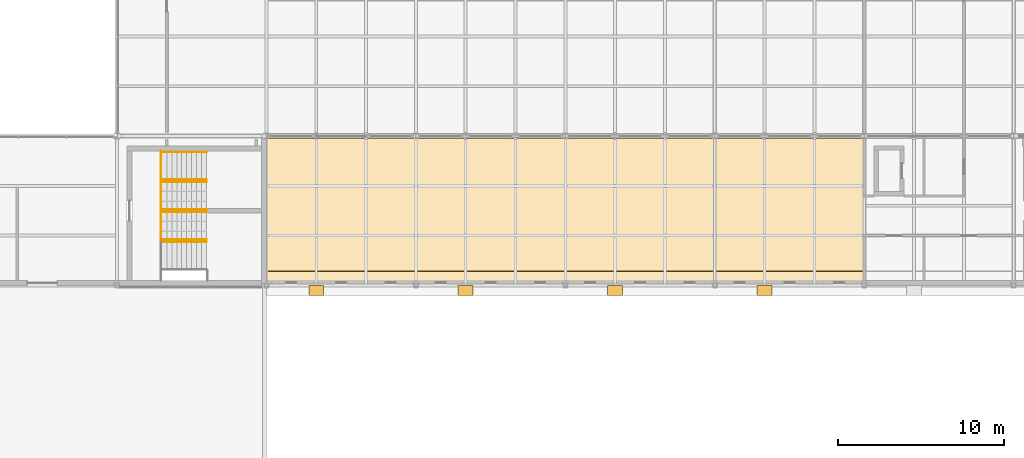
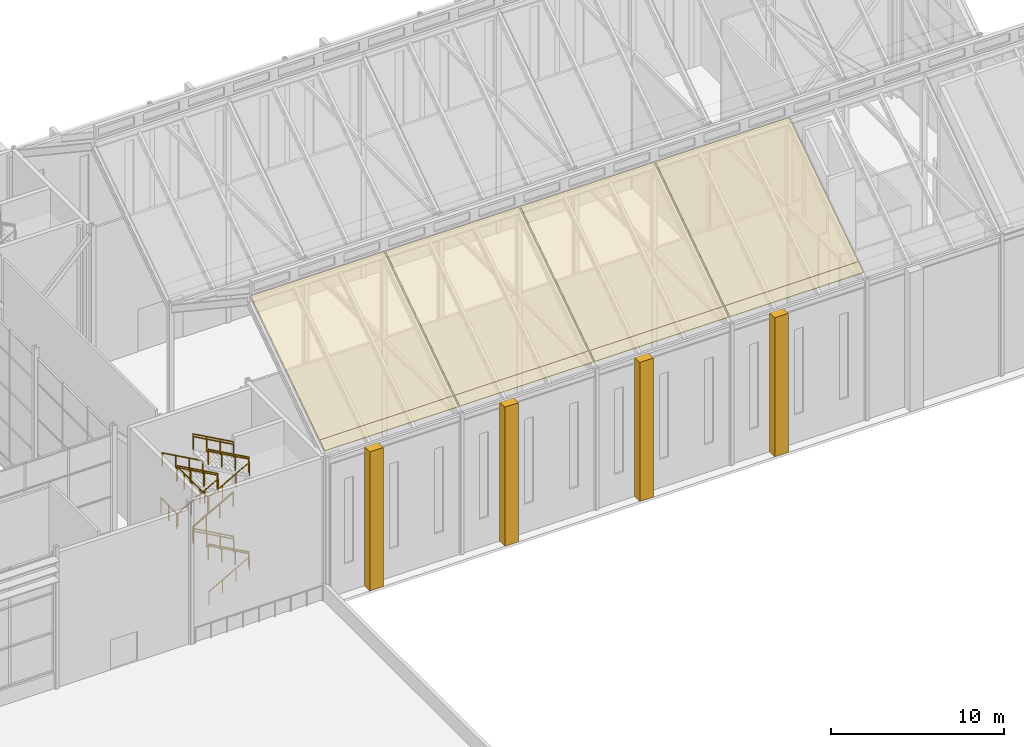
# One storey, part 106 of 111: 18 railings, 8 coverings, 4 shading devices.
"""IFC4 building model written with IfcOpenShell, lengths in metres."""

from ifc_helpers import new_model, si_unit, direction, frame, origin, origin_2d, place, context, subcontext, project, spatial, polyline, rectangle, circle, outline, extrude, material, layer, layer_set, type_object, element, save


model = new_model("IFC4")

# Units and contexts
model_context = context("Model", 3, precision=1e-05, world=origin(), true_north=direction((0.0, 1.0)))
body_context = subcontext(model_context, "Body", "Model", "MODEL_VIEW")
ifc_project = project(units=[si_unit("LENGTHUNIT", "METRE"), si_unit("AREAUNIT", "SQUARE_METRE"), si_unit("VOLUMEUNIT", "CUBIC_METRE"), si_unit("PLANEANGLEUNIT", "RADIAN"), si_unit("MASSUNIT", "GRAM", prefix="KILO")], contexts=[model_context])

# Site, building, storey
site_placement = place(None, origin())
site = spatial("IfcSite", under=ifc_project, at=site_placement, CompositionType="ELEMENT")
building_placement = place(site_placement, origin())
building = spatial("IfcBuilding", under=site, at=building_placement, Name="Shorebreak Coast Museum", CompositionType="ELEMENT")
storey_placement = place(building_placement, frame((0.0, 0.0, 16.0)))
storey = spatial("IfcBuildingStorey", under=building, at=storey_placement, Name="L03", CompositionType="ELEMENT", Elevation=16.0)

# Coverings
ifc_material_1 = material(Name="Lead-coated copper")
ifc_layer_1 = layer(ifc_material_1, 0.0400390625)
ifc_layer_set_1 = layer_set([ifc_layer_1], Name="Lead-coated copper")
covering_type_1 = type_object("IfcCoveringType", Name="Lead-coated copper roofing 40", PredefinedType="ROOFING", material=ifc_layer_set_1)
for number, where, z_axis, x_axis, name in (
    (1, (117.050048828125, 54.85009765625, 10.61474609375), (0.0, -0.554694336455, 0.832054200822), (1.0, 0.0, 0.0), "Roofing FOLD-E-P01"),
    (2, (126.050048828125, 54.85009765625, 10.61474609375), (0.0, -0.554694336455, 0.832054200822), (1.0, 0.0, 0.0), "Roofing FOLD-E-P02"),
    (3, (135.050048828125, 54.85009765625, 10.61474609375), (0.0, -0.554694336455, 0.832054200822), (1.0, 0.0, 0.0), "Roofing FOLD-E-P03"),
    (4, (144.050048828125, 54.85009765625, 10.61474609375), (0.0, -0.554694336455, 0.832054200822), (1.0, 0.0, 0.0), "Roofing FOLD-E-P04"),
):
    element("IfcCovering", number, at=place(storey_placement, frame(where, z_axis=z_axis, x_axis=x_axis)), inside=storey, type_object=covering_type_1, Name=name, PredefinedType="ROOFING", context=body_context, shape_type="SweptSolid", body=[
        extrude(outline(polyline([(0.0, 0.0), (8.89990234375, 0.0), (8.89990234375, 9.614758259858208), (0.0, 9.614758259858208), (0.0, 0.0)])), origin(), (0.0, 0.0, -1.0), 0.0400390625),
    ])

# Shading devices
ifc_material_2 = material(Name="Precast concrete C40/50", Category="concrete")
ifc_layer_2 = layer(ifc_material_2, 0.89990234375)
ifc_layer_set_2 = layer_set([ifc_layer_2], Name="Precast concrete C40/50")
shading_device_type = type_object("IfcShadingDeviceType", Name="Precast rib 900 x 600", PredefinedType="USERDEFINED", material=ifc_layer_set_2)
for number, where, z_axis, x_axis, name in (
    (5, (120.0, 53.699951171875, 0.0), (0.0, 0.0, 1.0), (1.0, 0.0, 0.0), "Precast rib L03 S30"),
    (6, (129.0, 53.699951171875, 0.0), (0.0, 0.0, 1.0), (1.0, 0.0, 0.0), "Precast rib L03 S31"),
    (7, (138.0, 53.699951171875, 0.0), (0.0, 0.0, 1.0), (1.0, 0.0, 0.0), "Precast rib L03 S32"),
    (8, (147.0, 53.699951171875, 0.0), (0.0, 0.0, 1.0), (1.0, 0.0, 0.0), "Precast rib L03 S33"),
):
    element("IfcShadingDevice", number, at=place(storey_placement, frame(where, z_axis=z_axis, x_axis=x_axis)), inside=storey, type_object=shading_device_type, Name=name, ObjectType="FIN", PredefinedType="USERDEFINED", context=body_context, shape_type="SweptSolid", body=[
        extrude(rectangle(XDim=0.89990234375, YDim=0.60009765625, at=origin_2d()), origin(), (0.0, 0.0, 1.0), 9.800048828125),
    ])

# Railings
ifc_material_3 = material(Name="Steel Grade 300", Category="steel")
railing_type_1 = type_object("IfcRailingType", Name="Stair guard 1100", PredefinedType="GUARDRAIL", material=ifc_material_3)
railing_1_placement = place(storey_placement, frame((110.64990234375, 60.300048828125, 3.333251953125)))
element("IfcRailing", 9, at=railing_1_placement, inside=storey, type_object=railing_type_1, Name="Guard ST02 L03 landing mid1", PredefinedType="GUARDRAIL", context=body_context, shape_type="SweptSolid", body=[
    extrude(circle(Radius=0.02490234375, at=origin_2d()), frame((0.0, 0.0, 1.0751953125), z_axis=(0.0, 1.0, 0.0), x_axis=(-1.0, 0.0, 0.0)), (0.0, 0.0, 1.0), 1.800048828125),
    extrude(circle(Radius=0.02001953125, at=origin_2d()), origin(), (0.0, 0.0, 1.0), 1.050048828125),
    extrude(circle(Radius=0.02001953125, at=origin_2d()), frame((0.0, 0.89990234375, 0.0)), (0.0, 0.0, 1.0), 1.050048828125),
    extrude(circle(Radius=0.02001953125, at=origin_2d()), frame((0.0, 1.800048828125, 0.0)), (0.0, 0.0, 1.0), 1.050048828125),
])
railing_2_placement = place(storey_placement, frame((110.64990234375, 56.699951171875, 6.666748046875)))
element("IfcRailing", 10, at=railing_2_placement, inside=storey, type_object=railing_type_1, Name="Guard ST02 L03 landing mid2", PredefinedType="GUARDRAIL", context=body_context, shape_type="SweptSolid", body=[
    extrude(circle(Radius=0.02490234375, at=origin_2d()), frame((0.0, 0.0, 1.0751953125), z_axis=(0.0, 1.0, 0.0), x_axis=(-1.0, 0.0, 0.0)), (0.0, 0.0, 1.0), 3.60009765625),
    extrude(circle(Radius=0.02001953125, at=origin_2d()), origin(), (0.0, 0.0, 1.0), 1.050048828125),
    extrude(circle(Radius=0.02001953125, at=origin_2d()), frame((0.0, 0.89990234375, 0.0)), (0.0, 0.0, 1.0), 1.050048828125),
    extrude(circle(Radius=0.02001953125, at=origin_2d()), frame((0.0, 1.800048828125, 0.0)), (0.0, 0.0, 1.0), 1.050048828125),
    extrude(circle(Radius=0.02001953125, at=origin_2d()), frame((0.0, 2.7001953125, 0.0)), (0.0, 0.0, 1.0), 1.050048828125),
    extrude(circle(Radius=0.02001953125, at=origin_2d()), frame((0.0, 3.60009765625, 0.0)), (0.0, 0.0, 1.0), 1.050048828125),
])
for number, where, name in (
    (11, (113.39990234375, 56.699951171875, 1.833251953125), "Guard ST02-L03 well 1"),
    (12, (113.39990234375, 60.300048828125, 5.166748046875), "Guard ST02-L03 well 2"),
    (13, (113.39990234375, 56.699951171875, 8.5), "Guard ST02-L03 well 3"),
    (14, (113.39990234375, 58.5, 1.833251953125), "Guard ST02-L03 side 1"),
):
    element("IfcRailing", number, at=place(storey_placement, frame(where)), inside=storey, type_object=railing_type_1, Name=name, PredefinedType="GUARDRAIL", context=body_context, shape_type="SweptSolid", body=[
        extrude(circle(Radius=0.02490234375, at=origin_2d()), frame((0.0, 0.0, 1.0751953125), z_axis=(-0.87415354758, 0.0, 0.485649642493), x_axis=(0.0, -1.0, 0.0)), (0.0, 0.0, 1.0), 3.088623046875),
        extrude(circle(Radius=0.02001953125, at=origin_2d()), origin(), (0.0, 0.0, 1.0), 1.050048828125),
        extrude(circle(Radius=0.02001953125, at=origin_2d()), frame((-0.89990234375, 0.0, 0.5)), (0.0, 0.0, 1.0), 1.050048828125),
        extrude(circle(Radius=0.02001953125, at=origin_2d()), frame((-1.800048828125, 0.0, 1.0)), (0.0, 0.0, 1.0), 1.050048828125),
        extrude(circle(Radius=0.02001953125, at=origin_2d()), frame((-2.699951171875, 0.0, 1.5)), (0.0, 0.0, 1.0), 1.050048828125),
    ])
railing_3_placement = place(storey_placement, frame((110.699951171875, 58.5, 3.5)))
element("IfcRailing", 15, at=railing_3_placement, inside=storey, type_object=railing_type_1, Name="Guard ST02-L03 side 2", PredefinedType="GUARDRAIL", context=body_context, shape_type="SweptSolid", body=[
    extrude(circle(Radius=0.02490234375, at=origin_2d()), frame((0.0, 0.0, 1.0751953125), z_axis=(0.87415354758, 0.0, 0.485649642493), x_axis=(0.0, 1.0, 0.0)), (0.0, 0.0, 1.0), 3.088623046875),
    extrude(circle(Radius=0.02001953125, at=origin_2d()), origin(), (0.0, 0.0, 1.0), 1.050048828125),
    extrude(circle(Radius=0.02001953125, at=origin_2d()), frame((0.89990234375, 0.0, 0.5)), (0.0, 0.0, 1.0), 1.050048828125),
    extrude(circle(Radius=0.02001953125, at=origin_2d()), frame((1.800048828125, 0.0, 1.0)), (0.0, 0.0, 1.0), 1.050048828125),
    extrude(circle(Radius=0.02001953125, at=origin_2d()), frame((2.699951171875, 0.0, 1.5)), (0.0, 0.0, 1.0), 1.050048828125),
])
railing_4_placement = place(storey_placement, frame((113.39990234375, 58.5, 8.5)))
element("IfcRailing", 16, at=railing_4_placement, inside=storey, type_object=railing_type_1, Name="Guard ST02-L03 side 3", PredefinedType="GUARDRAIL", context=body_context, shape_type="SweptSolid", body=[
    extrude(circle(Radius=0.02490234375, at=origin_2d()), frame((0.0, 0.0, 1.0751953125), z_axis=(-0.87415354758, 0.0, 0.485649642493), x_axis=(0.0, -1.0, 0.0)), (0.0, 0.0, 1.0), 3.088623046875),
    extrude(circle(Radius=0.02001953125, at=origin_2d()), origin(), (0.0, 0.0, 1.0), 1.050048828125),
    extrude(circle(Radius=0.02001953125, at=origin_2d()), frame((-0.89990234375, 0.0, 0.5)), (0.0, 0.0, 1.0), 1.050048828125),
    extrude(circle(Radius=0.02001953125, at=origin_2d()), frame((-1.800048828125, 0.0, 1.0)), (0.0, 0.0, 1.0), 1.050048828125),
    extrude(circle(Radius=0.02001953125, at=origin_2d()), frame((-2.699951171875, 0.0, 1.5)), (0.0, 0.0, 1.0), 1.050048828125),
])
ifc_material_4 = material(Name="Steel Grade 300", Category="steel")
railing_type_2 = type_object("IfcRailingType", Name="Stair handrail 950", PredefinedType="HANDRAIL", material=ifc_material_4)
railing_5_placement = place(storey_placement, frame((110.699951171875, 56.639892578125, 0.166748046875)))
element("IfcRailing", 17, at=railing_5_placement, inside=storey, type_object=railing_type_2, Name="Handrail ST02-L03 flight 1b", PredefinedType="HANDRAIL", context=body_context, shape_type="SweptSolid", body=[
    extrude(circle(Radius=0.02490234375, at=origin_2d()), frame((0.0, 0.0, 0.9248046875), z_axis=(0.87415354758, 0.0, 0.485649642493), x_axis=(0.0, 1.0, 0.0)), (0.0, 0.0, 1.0), 3.088623046875),
    extrude(circle(Radius=0.02001953125, at=origin_2d()), origin(), (0.0, 0.0, 1.0), 0.89990234375),
    extrude(circle(Radius=0.02001953125, at=origin_2d()), frame((0.89990234375, 0.0, 0.5)), (0.0, 0.0, 1.0), 0.89990234375),
    extrude(circle(Radius=0.02001953125, at=origin_2d()), frame((1.800048828125, 0.0, 1.0)), (0.0, 0.0, 1.0), 0.89990234375),
    extrude(circle(Radius=0.02001953125, at=origin_2d()), frame((2.699951171875, 0.0, 1.5)), (0.0, 0.0, 1.0), 0.89990234375),
])
for number, where, name in (
    (18, (113.39990234375, 56.760009765625, 1.833251953125), "Handrail ST02-L03 flight 2a"),
    (19, (113.39990234375, 58.43994140625, 1.833251953125), "Handrail ST02-L03 flight 2b"),
):
    element("IfcRailing", number, at=place(storey_placement, frame(where)), inside=storey, type_object=railing_type_2, Name=name, PredefinedType="HANDRAIL", context=body_context, shape_type="SweptSolid", body=[
        extrude(circle(Radius=0.02490234375, at=origin_2d()), frame((0.0, 0.0, 0.9248046875), z_axis=(-0.87415354758, 0.0, 0.485649642493), x_axis=(0.0, -1.0, 0.0)), (0.0, 0.0, 1.0), 3.088623046875),
        extrude(circle(Radius=0.02001953125, at=origin_2d()), origin(), (0.0, 0.0, 1.0), 0.89990234375),
        extrude(circle(Radius=0.02001953125, at=origin_2d()), frame((-0.89990234375, 0.0, 0.5)), (0.0, 0.0, 1.0), 0.89990234375),
        extrude(circle(Radius=0.02001953125, at=origin_2d()), frame((-1.800048828125, 0.0, 1.0)), (0.0, 0.0, 1.0), 0.89990234375),
        extrude(circle(Radius=0.02001953125, at=origin_2d()), frame((-2.699951171875, 0.0, 1.5)), (0.0, 0.0, 1.0), 0.89990234375),
    ])
for number, where, name in (
    (20, (110.699951171875, 58.56005859375, 3.5), "Handrail ST02-L03 flight 3a"),
    (21, (110.699951171875, 60.239990234375, 3.5), "Handrail ST02-L03 flight 3b"),
):
    element("IfcRailing", number, at=place(storey_placement, frame(where)), inside=storey, type_object=railing_type_2, Name=name, PredefinedType="HANDRAIL", context=body_context, shape_type="SweptSolid", body=[
        extrude(circle(Radius=0.02490234375, at=origin_2d()), frame((0.0, 0.0, 0.9248046875), z_axis=(0.87415354758, 0.0, 0.485649642493), x_axis=(0.0, 1.0, 0.0)), (0.0, 0.0, 1.0), 3.088623046875),
        extrude(circle(Radius=0.02001953125, at=origin_2d()), origin(), (0.0, 0.0, 1.0), 0.89990234375),
        extrude(circle(Radius=0.02001953125, at=origin_2d()), frame((0.89990234375, 0.0, 0.5)), (0.0, 0.0, 1.0), 0.89990234375),
        extrude(circle(Radius=0.02001953125, at=origin_2d()), frame((1.800048828125, 0.0, 1.0)), (0.0, 0.0, 1.0), 0.89990234375),
        extrude(circle(Radius=0.02001953125, at=origin_2d()), frame((2.699951171875, 0.0, 1.5)), (0.0, 0.0, 1.0), 0.89990234375),
    ])
for number, where, name in (
    (22, (113.39990234375, 60.360107421875, 5.166748046875), "Handrail ST02-L03 flight 4a"),
    (23, (113.39990234375, 62.0400390625, 5.166748046875), "Handrail ST02-L03 flight 4b"),
):
    element("IfcRailing", number, at=place(storey_placement, frame(where)), inside=storey, type_object=railing_type_2, Name=name, PredefinedType="HANDRAIL", context=body_context, shape_type="SweptSolid", body=[
        extrude(circle(Radius=0.02490234375, at=origin_2d()), frame((0.0, 0.0, 0.9248046875), z_axis=(-0.87415354758, 0.0, 0.485649642493), x_axis=(0.0, -1.0, 0.0)), (0.0, 0.0, 1.0), 3.088623046875),
        extrude(circle(Radius=0.02001953125, at=origin_2d()), origin(), (0.0, 0.0, 1.0), 0.89990234375),
        extrude(circle(Radius=0.02001953125, at=origin_2d()), frame((-0.89990234375, 0.0, 0.5)), (0.0, 0.0, 1.0), 0.89990234375),
        extrude(circle(Radius=0.02001953125, at=origin_2d()), frame((-1.800048828125, 0.0, 1.0)), (0.0, 0.0, 1.0), 0.89990234375),
        extrude(circle(Radius=0.02001953125, at=origin_2d()), frame((-2.699951171875, 0.0, 1.5)), (0.0, 0.0, 1.0), 0.89990234375),
    ])
railing_6_placement = place(storey_placement, frame((110.699951171875, 56.639892578125, 6.833251953125)))
element("IfcRailing", 24, at=railing_6_placement, inside=storey, type_object=railing_type_2, Name="Handrail ST02-L03 flight 5b", PredefinedType="HANDRAIL", context=body_context, shape_type="SweptSolid", body=[
    extrude(circle(Radius=0.02490234375, at=origin_2d()), frame((0.0, 0.0, 0.9248046875), z_axis=(0.87415354758, 0.0, 0.485649642493), x_axis=(0.0, 1.0, 0.0)), (0.0, 0.0, 1.0), 3.088623046875),
    extrude(circle(Radius=0.02001953125, at=origin_2d()), origin(), (0.0, 0.0, 1.0), 0.89990234375),
    extrude(circle(Radius=0.02001953125, at=origin_2d()), frame((0.89990234375, 0.0, 0.5)), (0.0, 0.0, 1.0), 0.89990234375),
    extrude(circle(Radius=0.02001953125, at=origin_2d()), frame((1.800048828125, 0.0, 1.0)), (0.0, 0.0, 1.0), 0.89990234375),
    extrude(circle(Radius=0.02001953125, at=origin_2d()), frame((2.699951171875, 0.0, 1.5)), (0.0, 0.0, 1.0), 0.89990234375),
])
for number, where, name in (
    (25, (113.39990234375, 56.760009765625, 8.5), "Handrail ST02-L03 flight 6a"),
    (26, (113.39990234375, 58.43994140625, 8.5), "Handrail ST02-L03 flight 6b"),
):
    element("IfcRailing", number, at=place(storey_placement, frame(where)), inside=storey, type_object=railing_type_2, Name=name, PredefinedType="HANDRAIL", context=body_context, shape_type="SweptSolid", body=[
        extrude(circle(Radius=0.02490234375, at=origin_2d()), frame((0.0, 0.0, 0.9248046875), z_axis=(-0.87415354758, 0.0, 0.485649642493), x_axis=(0.0, -1.0, 0.0)), (0.0, 0.0, 1.0), 3.088623046875),
        extrude(circle(Radius=0.02001953125, at=origin_2d()), origin(), (0.0, 0.0, 1.0), 0.89990234375),
        extrude(circle(Radius=0.02001953125, at=origin_2d()), frame((-0.89990234375, 0.0, 0.5)), (0.0, 0.0, 1.0), 0.89990234375),
        extrude(circle(Radius=0.02001953125, at=origin_2d()), frame((-1.800048828125, 0.0, 1.0)), (0.0, 0.0, 1.0), 0.89990234375),
        extrude(circle(Radius=0.02001953125, at=origin_2d()), frame((-2.699951171875, 0.0, 1.5)), (0.0, 0.0, 1.0), 0.89990234375),
    ])

# Coverings
ifc_material_5 = material(Name="Aluminium", Category="aluminium")
ifc_layer_3 = layer(ifc_material_5, 0.06005859375)
ifc_layer_set_3 = layer_set([ifc_layer_3], Name="Aluminium")
covering_type_2 = type_object("IfcCoveringType", Name="Valley gutter lining 60", PredefinedType="MEMBRANE", material=ifc_layer_set_3)
for number, where, z_axis, x_axis, name in (
    (27, (117.050048828125, 54.25, 10.23876953125), (0.0, -0.5547783059, 0.831998215925), (1.0, 0.0, 0.0), "Valley gutter FOLD-E-P01"),
    (28, (126.050048828125, 54.25, 10.23876953125), (0.0, -0.5547783059, 0.831998215925), (1.0, 0.0, 0.0), "Valley gutter FOLD-E-P02"),
    (29, (135.050048828125, 54.25, 10.23876953125), (0.0, -0.5547783059, 0.831998215925), (1.0, 0.0, 0.0), "Valley gutter FOLD-E-P03"),
    (30, (144.050048828125, 54.25, 10.23876953125), (0.0, -0.5547783059, 0.831998215925), (1.0, 0.0, 0.0), "Valley gutter FOLD-E-P04"),
):
    element("IfcCovering", number, at=place(storey_placement, frame(where, z_axis=z_axis, x_axis=x_axis)), inside=storey, type_object=covering_type_2, Name=name, PredefinedType="MEMBRANE", context=body_context, shape_type="SweptSolid", body=[
        extrude(outline(polyline([(0.0, 0.0), (8.89990234375, 0.0), (8.89990234375, 0.721272768094301), (0.0, 0.721272768094301), (0.0, 0.0)])), origin(), (0.0, 0.0, -1.0), 0.06005859375),
    ])

save(model, "model.ifc")
